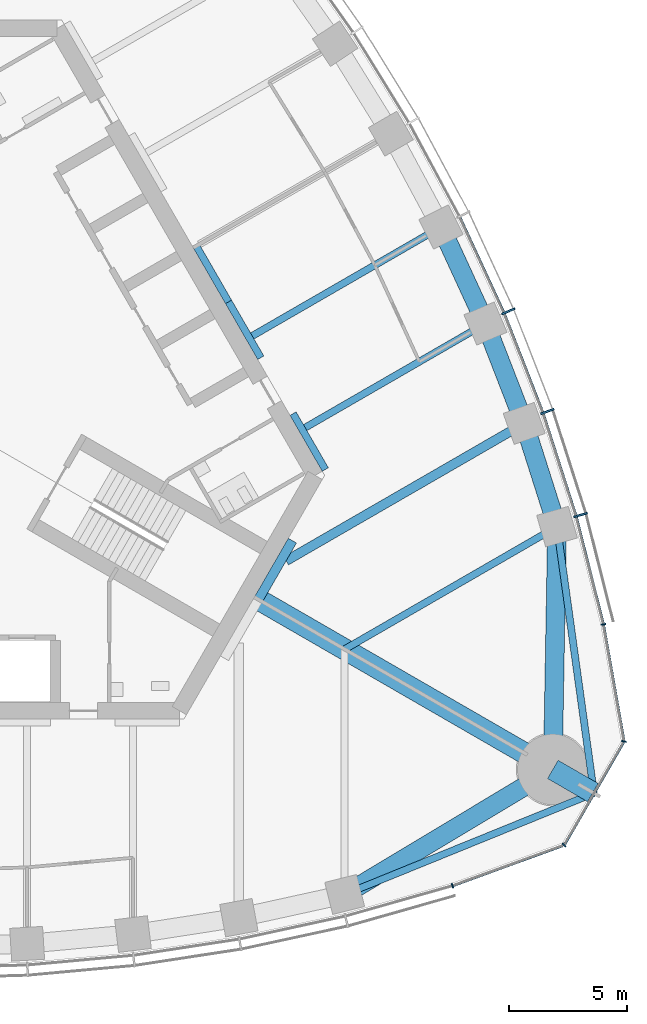
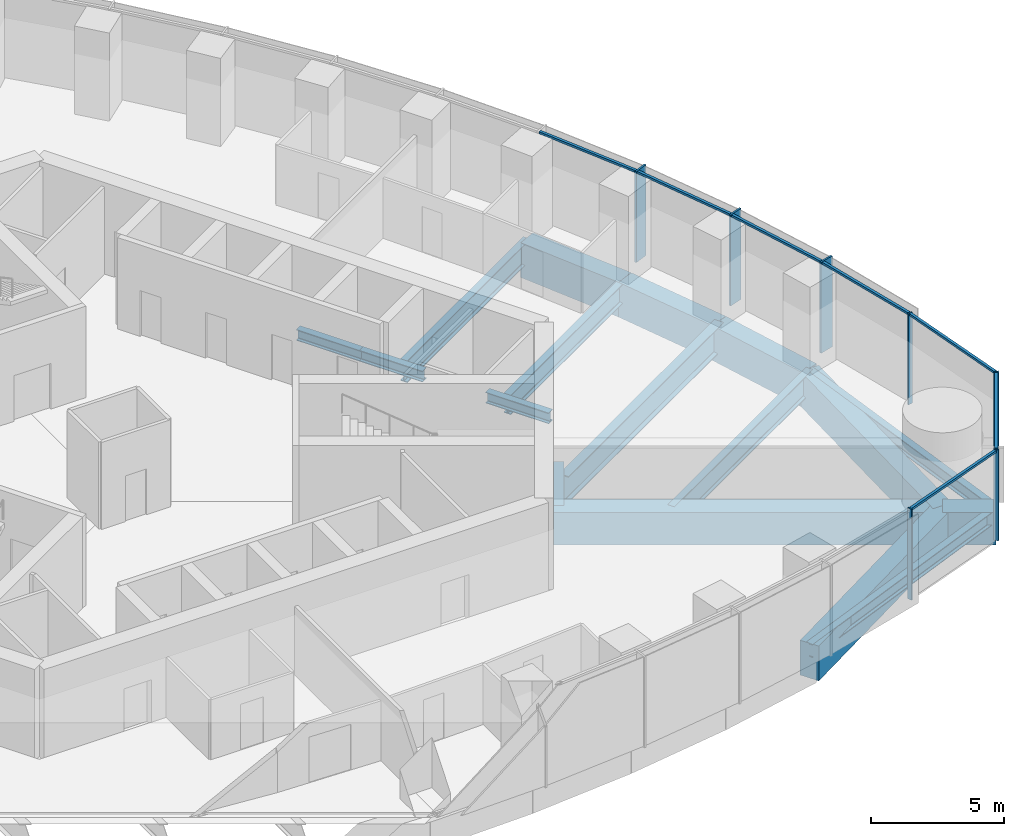
# One storey, part 4 of 15: 17 beams, 14 members, 2 elements without a shape of their own.
"""IFC4 building model written with IfcOpenShell, lengths in metres."""

from ifc_helpers import new_model, si_unit, direction, frame, origin, origin_2d, place, context, subcontext, project, spatial, rectangle, i_section, extrude, material, material_profile, profile_set, type_object, element, aggregate, save


model = new_model("IFC4")

# Units and contexts
model_context = context("Model", 3, precision=1e-05, world=origin(), true_north=direction((0.0, 1.0)))
body_context = subcontext(model_context, "Body", "Model", "MODEL_VIEW")
ifc_project = project(units=[si_unit("LENGTHUNIT", "METRE"), si_unit("AREAUNIT", "SQUARE_METRE"), si_unit("VOLUMEUNIT", "CUBIC_METRE"), si_unit("PLANEANGLEUNIT", "RADIAN"), si_unit("MASSUNIT", "GRAM", prefix="KILO")], contexts=[model_context])

# Site, building, storey
site_placement = place(None, origin())
site = spatial("IfcSite", under=ifc_project, at=site_placement, CompositionType="ELEMENT")
building_placement = place(site_placement, origin())
building = spatial("IfcBuilding", under=site, at=building_placement, Name="Trefoil Bronze Tower", CompositionType="ELEMENT")
storey_placement = place(building_placement, frame((0.0, 0.0, 288.89990234375)))
storey = spatial("IfcBuildingStorey", under=building, at=storey_placement, Name="L66", CompositionType="ELEMENT", Elevation=288.89990234375)

# Curtain wall, members
ifc_material_1 = material(Name="Tinted solar-control glass", Category="glass")
curtain_wall_type_1 = type_object("IfcCurtainWallType", Name="Bronze office curtain wall", PredefinedType="USERDEFINED", material=ifc_material_1)
curtain_wall_1_placement = place(storey_placement, origin())
curtain_wall_1 = element("IfcCurtainWall", 1, at=curtain_wall_1_placement, inside=storey, type_object=curtain_wall_type_1, Name="CW-A L66 F2", ObjectType="CURTAIN WALL", PredefinedType="USERDEFINED")
ifc_material_2 = material(Name="Bronze-finish aluminium", Category="aluminium")
ifc_material_profile_1 = material_profile(ifc_material_2, rectangle(XDim=0.60009765625, YDim=0.080078125, at=origin_2d()), Name="CW-A mullion")
ifc_profile_set_1 = profile_set([ifc_material_profile_1], Name="Bronze-finish aluminium")
member_type_1 = type_object("IfcMemberType", Name="Bronze office curtain wall mullion", PredefinedType="MULLION", material=ifc_profile_set_1)
member_1_placement = place(storey_placement, frame((28.02978515625, -4.685546875, 0.0), z_axis=(0.0, 0.0, 1.0), x_axis=(-0.961395843746, -0.275169096426, 0.0)))
member_1 = element("IfcMember", 2, at=member_1_placement, type_object=member_type_1, Name="CW-A L66 F2 mullion 2", PredefinedType="MULLION", context=body_context, shape_type="SweptSolid", body=[
    extrude(rectangle(XDim=0.60009765625, YDim=0.080078125, at=origin_2d()), origin(), (0.0, 0.0, 1.0), 4.18017578125),
])
member_2_placement = place(storey_placement, frame((26.618896484375, -0.282958984375, 0.0), z_axis=(0.0, 0.0, 1.0), x_axis=(-0.942448408407, -0.334351607581, 0.0)))
member_2 = element("IfcMember", 3, at=member_2_placement, type_object=member_type_1, Name="CW-A L66 F2 mullion 3", PredefinedType="MULLION", context=body_context, shape_type="SweptSolid", body=[
    extrude(rectangle(XDim=0.60009765625, YDim=0.080078125, at=origin_2d()), origin(), (0.0, 0.0, 1.0), 4.18017578125),
])
member_3_placement = place(storey_placement, frame((24.958984375, 3.975830078125, 0.0), z_axis=(0.0, 0.0, 1.0), x_axis=(-0.920205407004, -0.391435829888, 0.0)))
member_3 = element("IfcMember", 4, at=member_3_placement, type_object=member_type_1, Name="CW-A L66 F2 mullion 4", PredefinedType="MULLION", context=body_context, shape_type="SweptSolid", body=[
    extrude(rectangle(XDim=0.60009765625, YDim=0.080078125, at=origin_2d()), origin(), (0.0, 0.0, 1.0), 4.18017578125),
])
ifc_material_3 = material(Name="Bronze-finish aluminium", Category="aluminium")
ifc_material_profile_2 = material_profile(ifc_material_3, rectangle(XDim=0.1201171875, YDim=0.10009765625, at=origin_2d()), Name="CW-A transom")
ifc_profile_set_2 = profile_set([ifc_material_profile_2], Name="Bronze-finish aluminium")
member_type_2 = type_object("IfcMemberType", Name="Bronze office curtain wall transom", PredefinedType="USERDEFINED", material=ifc_profile_set_2)
member_4_placement = place(storey_placement, frame((28.986328125, -9.288330078125, 4.130126953125), z_axis=(-0.244908148095, 0.969546285123, 0.0), x_axis=(-0.969546285123, -0.244908148095, 0.0)))
member_4 = element("IfcMember", 5, at=member_4_placement, type_object=member_type_2, Name="CW-A L66 F2 transom 1", ObjectType="TRANSOM", PredefinedType="USERDEFINED", context=body_context, shape_type="SweptSolid", body=[
    extrude(rectangle(XDim=0.1201171875, YDim=0.10009765625, at=origin_2d()), origin(), (0.0, 0.0, 1.0), 4.6474609375),
])
member_5_placement = place(storey_placement, frame((27.824462890625, -4.699462890625, 4.130126953125), z_axis=(-0.305198606794, 0.95228872219, 0.0), x_axis=(-0.95228872219, -0.305198606794, 0.0)))
member_5 = element("IfcMember", 6, at=member_5_placement, type_object=member_type_2, Name="CW-A L66 F2 transom 2", ObjectType="TRANSOM", PredefinedType="USERDEFINED", context=body_context, shape_type="SweptSolid", body=[
    extrude(rectangle(XDim=0.1201171875, YDim=0.10009765625, at=origin_2d()), origin(), (0.0, 0.0, 1.0), 4.5244140625),
])
member_6_placement = place(storey_placement, frame((26.414794921875, -0.3095703125, 4.130126953125), z_axis=(-0.363178486404, 0.931719586042, 0.0), x_axis=(-0.931719586042, -0.363178486404, 0.0)))
member_6 = element("IfcMember", 7, at=member_6_placement, type_object=member_type_2, Name="CW-A L66 F2 transom 3", ObjectType="TRANSOM", PredefinedType="USERDEFINED", context=body_context, shape_type="SweptSolid", body=[
    extrude(rectangle(XDim=0.1201171875, YDim=0.10009765625, at=origin_2d()), origin(), (0.0, 0.0, 1.0), 4.472412109375),
])
member_7_placement = place(storey_placement, frame((24.7568359375, 3.9365234375, 4.130126953125), z_axis=(-0.4192988407, 0.907848270466, 0.0), x_axis=(-0.907848270466, -0.4192988407, 0.0)))
member_7 = element("IfcMember", 8, at=member_7_placement, type_object=member_type_2, Name="CW-A L66 F2 transom 4", ObjectType="TRANSOM", PredefinedType="USERDEFINED", context=body_context, shape_type="SweptSolid", body=[
    extrude(rectangle(XDim=0.1201171875, YDim=0.10009765625, at=origin_2d()), origin(), (0.0, 0.0, 1.0), 4.4384765625),
])
aggregate(curtain_wall_1, [member_1, member_2, member_3, member_4, member_5, member_6, member_7])

ifc_material_4 = material(Name="Tinted solar-control glass", Category="glass")
curtain_wall_type_2 = type_object("IfcCurtainWallType", Name="Bronze rounded corner curtain wall", PredefinedType="USERDEFINED", material=ifc_material_4)
curtain_wall_2_placement = place(storey_placement, origin())
curtain_wall_2 = element("IfcCurtainWall", 9, at=curtain_wall_2_placement, inside=storey, type_object=curtain_wall_type_2, Name="CW-B L66 K1", ObjectType="CURTAIN WALL", PredefinedType="USERDEFINED")
ifc_material_5 = material(Name="Bronze-finish aluminium", Category="aluminium")
ifc_material_profile_3 = material_profile(ifc_material_5, rectangle(XDim=0.199951171875, YDim=0.06005859375, at=origin_2d()), Name="CW-B mullion")
ifc_profile_set_3 = profile_set([ifc_material_profile_3], Name="Bronze-finish aluminium")
member_type_3 = type_object("IfcMemberType", Name="Bronze rounded corner curtain wall mullion", PredefinedType="MULLION", material=ifc_profile_set_3)
member_8_placement = place(storey_placement, frame((22.58251953125, -20.445556640625, 0.0), z_axis=(0.0, 0.0, 1.0), x_axis=(-0.342020143326, 0.939692620786, 0.0)))
member_8 = element("IfcMember", 10, at=member_8_placement, type_object=member_type_3, Name="CW-B L66 K1 mullion 1", PredefinedType="MULLION", context=body_context, shape_type="SweptSolid", body=[
    extrude(rectangle(XDim=0.199951171875, YDim=0.06005859375, at=origin_2d()), origin(), (0.0, 0.0, 1.0), 4.18017578125),
])
member_9_placement = place(storey_placement, frame((27.326416015625, -18.712646484375, 0.0), z_axis=(0.0, 0.0, 1.0), x_axis=(-0.642787609687, 0.766044443119, 0.0)))
member_9 = element("IfcMember", 11, at=member_9_placement, type_object=member_type_3, Name="CW-B L66 K1 mullion 2", PredefinedType="MULLION", context=body_context, shape_type="SweptSolid", body=[
    extrude(rectangle(XDim=0.199951171875, YDim=0.06005859375, at=origin_2d()), origin(), (0.0, 0.0, 1.0), 4.18017578125),
])
member_10_placement = place(storey_placement, frame((29.86865234375, -14.30908203125, 0.0), z_axis=(0.0, 0.0, 1.0), x_axis=(-0.984807753012, 0.173648177667, 0.0)))
member_10 = element("IfcMember", 12, at=member_10_placement, type_object=member_type_3, Name="CW-B L66 K1 mullion 3", PredefinedType="MULLION", context=body_context, shape_type="SweptSolid", body=[
    extrude(rectangle(XDim=0.199951171875, YDim=0.06005859375, at=origin_2d()), origin(), (0.0, 0.0, 1.0), 4.18017578125),
])
member_11_placement = place(storey_placement, frame((28.99755859375, -9.334228515625, 0.0), z_axis=(0.0, 0.0, 1.0), x_axis=(-0.984807753012, -0.173648177667, 0.0)))
member_11 = element("IfcMember", 13, at=member_11_placement, type_object=member_type_3, Name="CW-B L66 K1 mullion 4", PredefinedType="MULLION", context=body_context, shape_type="SweptSolid", body=[
    extrude(rectangle(XDim=0.199951171875, YDim=0.06005859375, at=origin_2d()), origin(), (0.0, 0.0, 1.0), 4.18017578125),
])
ifc_material_6 = material(Name="Bronze-finish aluminium", Category="aluminium")
ifc_material_profile_4 = material_profile(ifc_material_6, rectangle(XDim=0.1201171875, YDim=0.10009765625, at=origin_2d()), Name="CW-B transom")
ifc_profile_set_4 = profile_set([ifc_material_profile_4], Name="Bronze-finish aluminium")
member_type_4 = type_object("IfcMemberType", Name="Bronze rounded corner curtain wall transom", PredefinedType="USERDEFINED", material=ifc_profile_set_4)
member_12_placement = place(storey_placement, frame((22.610595703125, -20.435302734375, 4.130126953125), z_axis=(0.93969990549, 0.342000128103, 0.0), x_axis=(-0.342000128103, 0.93969990549, 0.0)))
member_12 = element("IfcMember", 14, at=member_12_placement, type_object=member_type_4, Name="CW-B L66 K1 transom 1", ObjectType="TRANSOM", PredefinedType="USERDEFINED", context=body_context, shape_type="SweptSolid", body=[
    extrude(rectangle(XDim=0.1201171875, YDim=0.10009765625, at=origin_2d()), origin(), (0.0, 0.0, 1.0), 4.956298828125),
])
member_13_placement = place(storey_placement, frame((27.36376953125, -18.659912109375, 4.130126953125), z_axis=(0.499985403706, 0.866033830794, 0.0), x_axis=(-0.866033830794, 0.499985403706, 0.0)))
member_13 = element("IfcMember", 15, at=member_13_placement, type_object=member_type_4, Name="CW-B L66 K1 transom 2", ObjectType="TRANSOM", PredefinedType="USERDEFINED", context=body_context, shape_type="SweptSolid", body=[
    extrude(rectangle(XDim=0.1201171875, YDim=0.10009765625, at=origin_2d()), origin(), (0.0, 0.0, 1.0), 4.956298828125),
])
member_14_placement = place(storey_placement, frame((29.863525390625, -14.244873046875, 4.130126953125), z_axis=(-0.173633591509, 0.984810324834, 0.0), x_axis=(-0.984810324834, -0.173633591509, 0.0)))
member_14 = element("IfcMember", 16, at=member_14_placement, type_object=member_type_4, Name="CW-B L66 K1 transom 3", ObjectType="TRANSOM", PredefinedType="USERDEFINED", context=body_context, shape_type="SweptSolid", body=[
    extrude(rectangle(XDim=0.1201171875, YDim=0.10009765625, at=origin_2d()), origin(), (0.0, 0.0, 1.0), 4.956298828125),
])
aggregate(curtain_wall_2, [member_8, member_9, member_10, member_11, member_12, member_13, member_14])

# Beams
ifc_material_7 = material(Name="Steel C355", Category="steel")
ifc_material_profile_5 = material_profile(ifc_material_7, i_section(OverallWidth=0.300048828125, OverallDepth=0.5, WebThickness=0.014404296875, FlangeThickness=0.028076171875, FilletRadius=0.027099609375, at=origin_2d()), Name="HEB 500")
ifc_profile_set_5 = profile_set([ifc_material_profile_5], Name="Steel C355")
beam_type_1 = type_object("IfcBeamType", Name="Core seat beam HEB 500", PredefinedType="BEAM", material=ifc_profile_set_5)
for number, where, z_axis, x_axis, name in (
    (17, (17.17626953125, -2.75, -0.449951171875), (-0.500035825175, 0.866004719122, 0.0), (-0.866004719122, -0.500035825175, 0.0), "Core seat beam F2/-2 L66"),
    (18, (14.433837890625, 2.0, -0.449951171875), (-0.500035825175, 0.866004719122, 0.0), (-0.866004719122, -0.500035825175, 0.0), "Core seat beam F2/-1 L66"),
    (19, (13.0625, 4.375, -0.449951171875), (-0.499969057507, 0.866043267704, 0.0), (-0.866043267704, -0.499969057507, 0.0), "Core seat beam F2/+0 L66"),
):
    element("IfcBeam", number, at=place(storey_placement, frame(where, z_axis=z_axis, x_axis=x_axis)), inside=storey, type_object=beam_type_1, Name=name, PredefinedType="BEAM", context=body_context, shape_type="SweptSolid", body=[
        extrude(i_section(OverallWidth=0.300048828125, OverallDepth=0.5, WebThickness=0.014404296875, FlangeThickness=0.028076171875, FilletRadius=0.027099609375, at=origin_2d()), origin(), (0.0, 0.0, 1.0), 2.742431640625),
    ])
ifc_material_8 = material(Name="Steel C355", Category="steel")
ifc_material_profile_6 = material_profile(ifc_material_8, i_section(OverallWidth=0.39990234375, OverallDepth=1.199951171875, WebThickness=0.02001953125, FlangeThickness=0.0400390625, FilletRadius=0.010009765625, at=origin_2d()), Name="WPG 1200")
ifc_profile_set_6 = profile_set([ifc_material_profile_6], Name="Steel C355")
beam_type_2 = type_object("IfcBeamType", Name="Core seat beam WPG 1200", PredefinedType="BEAM", material=ifc_profile_set_6)
beam_1_placement = place(storey_placement, frame((14.332763671875, -8.27490234375, -0.7998046875), z_axis=(0.499995765644, 0.866027848477, 0.0), x_axis=(-0.866027848477, 0.499995765644, 0.0)))
element("IfcBeam", 20, at=beam_1_placement, inside=storey, type_object=beam_type_2, Name="Core seat beam F2/-3 L66", PredefinedType="BEAM", context=body_context, shape_type="SweptSolid", body=[
    extrude(i_section(OverallWidth=0.39990234375, OverallDepth=1.199951171875, WebThickness=0.02001953125, FlangeThickness=0.0400390625, FilletRadius=0.010009765625, at=origin_2d()), origin(), (0.0, 0.0, 1.0), 2.88671875),
])
ifc_material_9 = material(Name="Concrete B80", Category="concrete")
ifc_material_profile_7 = material_profile(ifc_material_9, rectangle(XDim=0.89990234375, YDim=1.5, at=origin_2d()), Name="RC 900x1500")
ifc_profile_set_7 = profile_set([ifc_material_profile_7], Name="Concrete B80")
beam_type_3 = type_object("IfcBeamType", Name="Corner cantilever RC 900x1500", PredefinedType="BEAM", material=ifc_profile_set_7)
beam_2_placement = place(storey_placement, frame((26.8466796875, -15.5, -0.949951171875), z_axis=(0.866010470582, -0.500025864173, 0.0), x_axis=(0.500025864173, 0.866010470582, 0.0)))
element("IfcBeam", 21, at=beam_2_placement, inside=storey, type_object=beam_type_3, Name="Corner cantilever K1 L66", PredefinedType="BEAM", context=body_context, shape_type="SweptSolid", body=[
    extrude(rectangle(XDim=0.89990234375, YDim=1.5, at=origin_2d()), origin(), (0.0, 0.0, 1.0), 2.02001953125),
])
ifc_material_10 = material(Name="Steel C355", Category="steel")
ifc_material_profile_8 = material_profile(ifc_material_10, i_section(OverallWidth=0.300048828125, OverallDepth=0.60009765625, WebThickness=0.015380859375, FlangeThickness=0.030029296875, FilletRadius=0.027099609375, at=origin_2d()), Name="HEB 600")
ifc_profile_set_8 = profile_set([ifc_material_profile_8], Name="Steel C355")
beam_type_4 = type_object("IfcBeamType", Name="Corner edge beam HEB 600", PredefinedType="BEAM", material=ifc_profile_set_8)
beam_3_placement = place(storey_placement, frame((18.0, -20.816162109375, -0.5), z_axis=(0.926419351914, 0.376493272714, 0.0), x_axis=(-0.376493272714, 0.926419351914, 0.0)))
element("IfcBeam", 22, at=beam_3_placement, inside=storey, type_object=beam_type_4, Name="Corner edge beam F1A L66", PredefinedType="BEAM", context=body_context, shape_type="SweptSolid", body=[
    extrude(i_section(OverallWidth=0.300048828125, OverallDepth=0.60009765625, WebThickness=0.015380859375, FlangeThickness=0.030029296875, FilletRadius=0.027099609375, at=origin_2d()), origin(), (0.0, 0.0, 1.0), 11.4375),
])
beam_4_placement = place(storey_placement, frame((27.02734375, -5.180419921875, -0.5), z_axis=(0.137143714313, -0.990551160529, 0.0), x_axis=(0.990551160529, 0.137143714313, 0.0)))
element("IfcBeam", 23, at=beam_4_placement, inside=storey, type_object=beam_type_4, Name="Corner edge beam F2B L66", PredefinedType="BEAM", context=body_context, shape_type="SweptSolid", body=[
    extrude(i_section(OverallWidth=0.300048828125, OverallDepth=0.60009765625, WebThickness=0.015380859375, FlangeThickness=0.030029296875, FilletRadius=0.027099609375, at=origin_2d()), origin(), (0.0, 0.0, 1.0), 11.437744140625),
])
ifc_material_11 = material(Name="Concrete B80", Category="concrete")
ifc_material_profile_9 = material_profile(ifc_material_11, rectangle(XDim=0.89990234375, YDim=1.5, at=origin_2d()), Name="RC 900x1500")
ifc_profile_set_9 = profile_set([ifc_material_profile_9], Name="Concrete B80")
beam_type_5 = type_object("IfcBeamType", Name="Corner girder RC 900x1500", PredefinedType="BEAM", material=ifc_profile_set_9)
beam_5_placement = place(storey_placement, frame((14.159423828125, -8.175048828125, -0.949951171875), z_axis=(0.866026568746, -0.499997982221, 0.0), x_axis=(0.499997982221, 0.866026568746, 0.0)))
element("IfcBeam", 24, at=beam_5_placement, inside=storey, type_object=beam_type_5, Name="Corner girder K1 L66", PredefinedType="BEAM", context=body_context, shape_type="SweptSolid", body=[
    extrude(rectangle(XDim=0.89990234375, YDim=1.5, at=origin_2d()), origin(), (0.0, 0.0, 1.0), 14.64990234375),
])
ifc_material_12 = material(Name="Concrete B80", Category="concrete")
ifc_material_profile_10 = material_profile(ifc_material_12, rectangle(XDim=0.800048828125, YDim=1.60009765625, at=origin_2d()), Name="RC 800x1600")
ifc_profile_set_10 = profile_set([ifc_material_profile_10], Name="Concrete B80")
beam_type_6 = type_object("IfcBeamType", Name="End spandrel beam RC 800x1600", PredefinedType="SPANDREL", material=ifc_profile_set_10)
for number, where, z_axis, x_axis, name in (
    (25, (18.0, -20.816162109375, -1.0), (0.857144173035, 0.515076563855, 0.0), (-0.515076563855, 0.857144173035, 0.0), "Spandrel F1.10 L66"),
    (26, (26.8466796875, -15.5, -1.0), (0.017504237714, 0.999846789094, 0.0), (-0.999846789094, 0.017504237714, 0.0), "Spandrel F2.1 L66"),
):
    element("IfcBeam", number, at=place(storey_placement, frame(where, z_axis=z_axis, x_axis=x_axis)), inside=storey, type_object=beam_type_6, Name=name, PredefinedType="SPANDREL", context=body_context, shape_type="SweptSolid", body=[
        extrude(rectangle(XDim=0.800048828125, YDim=1.60009765625, at=origin_2d()), origin(), (0.0, 0.0, 1.0), 10.321044921875),
    ])
ifc_material_13 = material(Name="Steel C355", Category="steel")
ifc_material_profile_11 = material_profile(ifc_material_13, i_section(OverallWidth=0.300048828125, OverallDepth=1.0, WebThickness=0.01904296875, FlangeThickness=0.035888671875, FilletRadius=0.030029296875, at=origin_2d()), Name="HEB 1000")
ifc_profile_set_11 = profile_set([ifc_material_profile_11], Name="Steel C355")
beam_type_7 = type_object("IfcBeamType", Name="Floor beam HEB 1000", PredefinedType="BEAM", material=ifc_profile_set_11)
beam_6_placement = place(storey_placement, frame((22.093994140625, 7.559814453125, -0.699951171875), z_axis=(-0.866028909405, -0.499993928037, 0.0), x_axis=(0.499993928037, -0.866028909405, 0.0)))
element("IfcBeam", 27, at=beam_6_placement, inside=storey, type_object=beam_type_7, Name="Floor beam F2/-1 L66", PredefinedType="BEAM", context=body_context, shape_type="SweptSolid", body=[
    extrude(i_section(OverallWidth=0.300048828125, OverallDepth=1.0, WebThickness=0.01904296875, FlangeThickness=0.035888671875, FilletRadius=0.030029296875, at=origin_2d()), origin(), (0.0, 0.0, 1.0), 9.263671875),
])
ifc_material_14 = material(Name="Steel C355", Category="steel")
ifc_material_profile_12 = material_profile(ifc_material_14, i_section(OverallWidth=0.300048828125, OverallDepth=0.89990234375, WebThickness=0.0185546875, FlangeThickness=0.034912109375, FilletRadius=0.030029296875, at=origin_2d()), Name="HEB 900")
ifc_profile_set_12 = profile_set([ifc_material_profile_12], Name="Steel C355")
beam_type_8 = type_object("IfcBeamType", Name="Floor beam HEB 900", PredefinedType="BEAM", material=ifc_profile_set_12)
beam_7_placement = place(storey_placement, frame((23.98486328125, 3.455322265625, -0.64990234375), z_axis=(-0.866025701847, -0.499999483739, 0.0), x_axis=(0.499999483739, -0.866025701847, 0.0)))
element("IfcBeam", 28, at=beam_7_placement, inside=storey, type_object=beam_type_8, Name="Floor beam F2/-2 L66", PredefinedType="BEAM", context=body_context, shape_type="SweptSolid", body=[
    extrude(i_section(OverallWidth=0.300048828125, OverallDepth=0.89990234375, WebThickness=0.0185546875, FlangeThickness=0.034912109375, FilletRadius=0.030029296875, at=origin_2d()), origin(), (0.0, 0.0, 1.0), 8.84912109375),
])
ifc_material_15 = material(Name="Steel C355", Category="steel")
ifc_material_profile_13 = material_profile(ifc_material_15, i_section(OverallWidth=0.302001953125, OverallDepth=1.008056640625, WebThickness=0.02099609375, FlangeThickness=0.0400390625, FilletRadius=0.030029296875, at=origin_2d()), Name="HEM 1000")
ifc_profile_set_13 = profile_set([ifc_material_profile_13], Name="Steel C355")
beam_type_9 = type_object("IfcBeamType", Name="Floor beam HEM 1000", PredefinedType="BEAM", material=ifc_profile_set_13)
beam_8_placement = place(storey_placement, frame((27.02734375, -5.180419921875, -0.703857421875), z_axis=(-0.866026453994, -0.499998180979, 0.0), x_axis=(0.499998180979, -0.866026453994, 0.0)))
element("IfcBeam", 29, at=beam_8_placement, inside=storey, type_object=beam_type_9, Name="Floor beam F2/-4 L66", PredefinedType="BEAM", context=body_context, shape_type="SweptSolid", body=[
    extrude(i_section(OverallWidth=0.302001953125, OverallDepth=1.008056640625, WebThickness=0.02099609375, FlangeThickness=0.0400390625, FilletRadius=0.030029296875, at=origin_2d()), origin(), (0.0, 0.0, 1.0), 10.423828125),
])
ifc_material_16 = material(Name="Steel C355", Category="steel")
ifc_material_profile_14 = material_profile(ifc_material_16, i_section(OverallWidth=0.39990234375, OverallDepth=1.199951171875, WebThickness=0.02001953125, FlangeThickness=0.0400390625, FilletRadius=0.010009765625, at=origin_2d()), Name="WPG 1200")
ifc_profile_set_14 = profile_set([ifc_material_profile_14], Name="Steel C355")
beam_type_10 = type_object("IfcBeamType", Name="Floor beam WPG 1200", PredefinedType="BEAM", material=ifc_profile_set_14)
beam_9_placement = place(storey_placement, frame((25.631591796875, -0.7900390625, -0.7998046875), z_axis=(-0.866026929639, -0.499997357134, 0.0), x_axis=(0.499997357134, -0.866026929639, 0.0)))
element("IfcBeam", 30, at=beam_9_placement, inside=storey, type_object=beam_type_10, Name="Floor beam F2/-3 L66", PredefinedType="BEAM", context=body_context, shape_type="SweptSolid", body=[
    extrude(i_section(OverallWidth=0.39990234375, OverallDepth=1.199951171875, WebThickness=0.02001953125, FlangeThickness=0.0400390625, FilletRadius=0.010009765625, at=origin_2d()), origin(), (0.0, 0.0, 1.0), 11.68505859375),
])
ifc_material_17 = material(Name="Concrete B80", Category="concrete")
ifc_material_profile_15 = material_profile(ifc_material_17, rectangle(XDim=0.800048828125, YDim=1.60009765625, at=origin_2d()), Name="RC 800x1600")
ifc_profile_set_15 = profile_set([ifc_material_profile_15], Name="Concrete B80")
beam_type_11 = type_object("IfcBeamType", Name="Spandrel beam RC 800x1600", PredefinedType="SPANDREL", material=ifc_profile_set_15)
beam_10_placement = place(storey_placement, frame((27.02734375, -5.180419921875, -1.0), z_axis=(-0.302969597344, 0.953000221975, 0.0), x_axis=(-0.953000221975, -0.302969597344, 0.0)))
element("IfcBeam", 31, at=beam_10_placement, inside=storey, type_object=beam_type_11, Name="Spandrel F2.2 L66", PredefinedType="SPANDREL", context=body_context, shape_type="SweptSolid", body=[
    extrude(rectangle(XDim=0.800048828125, YDim=1.60009765625, at=origin_2d()), origin(), (0.0, 0.0, 1.0), 4.60693359375),
])
beam_11_placement = place(storey_placement, frame((25.631591796875, -0.7900390625, -1.0), z_axis=(-0.361636286502, 0.932319256631, 0.0), x_axis=(-0.932319256631, -0.361636286502, 0.0)))
element("IfcBeam", 32, at=beam_11_placement, inside=storey, type_object=beam_type_11, Name="Spandrel F2.3 L66", PredefinedType="SPANDREL", context=body_context, shape_type="SweptSolid", body=[
    extrude(rectangle(XDim=0.800048828125, YDim=1.60009765625, at=origin_2d()), origin(), (0.0, 0.0, 1.0), 4.553466796875),
])
beam_12_placement = place(storey_placement, frame((23.98486328125, 3.455322265625, -1.0), z_axis=(-0.418417425199, 0.90825484215, 0.0), x_axis=(-0.90825484215, -0.418417425199, 0.0)))
element("IfcBeam", 33, at=beam_12_placement, inside=storey, type_object=beam_type_11, Name="Spandrel F2.4 L66", PredefinedType="SPANDREL", context=body_context, shape_type="SweptSolid", body=[
    extrude(rectangle(XDim=0.800048828125, YDim=1.60009765625, at=origin_2d()), origin(), (0.0, 0.0, 1.0), 4.51904296875),
])

save(model, "model.ifc")
